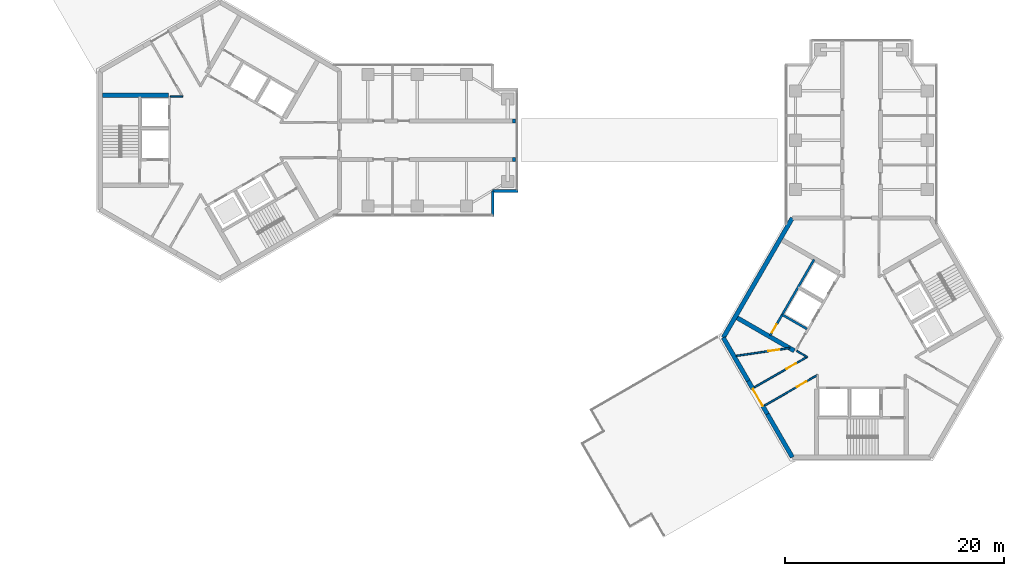
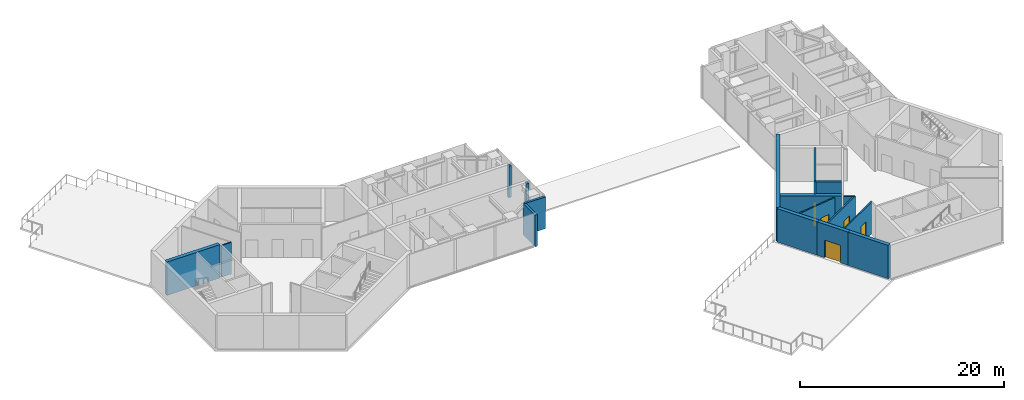
# One storey, part 6 of 11: 17 walls, 5 doors, 5 openings.
"""IFC4 building model written with IfcOpenShell, lengths in metres."""

from ifc_helpers import new_model, si_unit, direction, frame, frame_2d, origin, place, context, subcontext, project, spatial, rectangle, extrude, material, layer, layer_set, type_object, element, fill, save


model = new_model("IFC4")

# Units and contexts
model_context = context("Model", 3, precision=1e-05, world=origin(), true_north=direction((0.0, 1.0)))
body_context = subcontext(model_context, "Body", "Model", "MODEL_VIEW")
ifc_project = project(units=[si_unit("LENGTHUNIT", "METRE"), si_unit("AREAUNIT", "SQUARE_METRE"), si_unit("VOLUMEUNIT", "CUBIC_METRE"), si_unit("PLANEANGLEUNIT", "RADIAN"), si_unit("MASSUNIT", "GRAM", prefix="KILO")], contexts=[model_context])

# Site, building, storey
site_placement = place(None, origin())
site = spatial("IfcSite", under=ifc_project, at=site_placement, CompositionType="ELEMENT")
building_placement = place(site_placement, origin())
building = spatial("IfcBuilding", under=site, at=building_placement, Name="Upepo Twin Towers", CompositionType="ELEMENT")
storey_placement = place(building_placement, frame((0.0, 0.0, 243.5)))
storey = spatial("IfcBuildingStorey", under=building, at=storey_placement, Name="L59", CompositionType="ELEMENT", Elevation=243.5)

# Walls
ifc_material_1 = material(Name="Dense concrete blockwork", Category="masonry")
ifc_layer_1 = layer(ifc_material_1, 0.35009765625)
ifc_layer_set_1 = layer_set([ifc_layer_1], Name="Buttress closer 350, blockwork with fire-stopping to the curtain wall")
wall_type_1 = type_object("IfcWallType", Name="Buttress closer 350, blockwork with fire-stopping to the curtain wall", PredefinedType="PARTITIONING", material=ifc_layer_set_1)
for number, where, z_axis, x_axis, name in (
    (1, (26.699951171875, 1.75, 0.0), (0.0, 0.0, 1.0), (1.0, 0.0, 0.0), "T1 L59 wing A buttress closer L"),
    (2, (26.699951171875, -1.75, 0.0), (0.0, 0.0, 1.0), (1.0, 0.0, 0.0), "T1 L59 wing A buttress closer R"),
):
    element("IfcWall", number, at=place(storey_placement, frame(where, z_axis=z_axis, x_axis=x_axis)), inside=storey, type_object=wall_type_1, Name=name, PredefinedType="PARTITIONING", context=body_context, shape_type="SweptSolid", body=[
        extrude(rectangle(XDim=0.275146484375, YDim=0.35009765625, at=frame_2d((0.1376953125, 0.0))), origin(), (0.0, 0.0, 1.0), 3.800048828125),
    ])
ifc_material_2 = material(Name="Concrete C60/75", Category="concrete")
ifc_layer_2 = layer(ifc_material_2, 0.39990234375)
ifc_layer_set_2 = layer_set([ifc_layer_2], Name="Concrete C60/75")
wall_type_2 = type_object("IfcWallType", Name="Core wall 400 RC", PredefinedType="SHEAR", material=ifc_layer_set_2)
wall_1_placement = place(storey_placement, frame((52.2021484375, -7.091552734375, 0.0), z_axis=(0.0, 0.0, 1.0), x_axis=(-0.500005998175, -0.866021940709, 0.0)))
element("IfcWall", 3, at=wall_1_placement, inside=storey, type_object=wall_type_2, Name="T2 core wall 060", PredefinedType="SHEAR", context=body_context, shape_type="SweptSolid", body=[
    extrude(rectangle(XDim=12.595947265625, YDim=0.39990234375, at=frame_2d((6.2978515625, 0.0))), origin(), (0.0, 0.0, 1.0), 4.0),
])
wall_2_placement = place(storey_placement, frame((45.904052734375, -18.0, 0.0), z_axis=(0.0, 0.0, 1.0), x_axis=(0.500024481964, -0.866011268655, 0.0)))
element("IfcWall", 4, at=wall_2_placement, inside=storey, type_object=wall_type_2, Name="T2 core wall 120 R", PredefinedType="SHEAR", context=body_context, shape_type="SweptSolid", body=[
    extrude(rectangle(XDim=4.548095703125, YDim=0.39990234375, at=frame_2d((2.27392578125, 0.0))), origin(), (0.0, 0.0, 1.0), 4.0),
])

# Wall, opening, door
wall_3_placement = place(storey_placement, frame((48.17822265625, -21.938720703125, 0.0), z_axis=(0.0, 0.0, 1.0), x_axis=(0.500010275428, -0.866019471182, 0.0)))
wall_3 = element("IfcWall", 5, at=wall_3_placement, inside=storey, type_object=wall_type_2, Name="T2 core wall 120", PredefinedType="SHEAR", context=body_context, shape_type="SweptSolid", body=[
    extrude(rectangle(XDim=3.5, YDim=0.39990234375, at=frame_2d((1.75, 0.0))), origin(), (0.0, 0.0, 1.0), 4.0),
])
opening_1_placement = place(wall_3_placement, frame((0.85009765625, 0.0, 0.0)))
opening_1 = element("IfcOpeningElement", 6, at=opening_1_placement, cuts=wall_3, Name="Opening D2", PredefinedType="OPENING", context=body_context, shape_type="SweptSolid", body=[
    extrude(rectangle(XDim=1.800048828125, YDim=2.10009765625, at=frame_2d((0.89990234375, 1.050048828125))), frame((0.0, 0.2099609375, 0.0), z_axis=(0.0, -1.0, 0.0), x_axis=(1.0, 0.0, 0.0)), (0.0, 0.0, 1.0), 0.419921875),
])
ifc_material_3 = material(Name="Timber doorset", Category="wood")
door_type_1 = type_object("IfcDoorType", Name="Corridor double door 1800 FD60", OperationType="DOUBLE_DOOR_DOUBLE_SWING", PredefinedType="DOOR", material=ifc_material_3)
door_1_placement = place(opening_1_placement, origin())
door_1 = element("IfcDoor", 7, at=door_1_placement, inside=storey, type_object=door_type_1, Name="T2 L59 sky terrace door", OperationType="DOUBLE_DOOR_DOUBLE_SWING", OverallHeight=2.10009765625, OverallWidth=1.800048828125, PredefinedType="DOOR", context=body_context, shape_type="SweptSolid", body=[
    extrude(rectangle(XDim=1.800048828125, YDim=2.10009765625, at=frame_2d((0.89990234375, 1.050048828125))), frame((0.0, 0.02490234375, 0.0), z_axis=(0.0, -1.0, 0.0), x_axis=(1.0, 0.0, 0.0)), (0.0, 0.0, 1.0), 0.050048828125),
])
fill(opening_1, door_1)

# Walls
wall_4_placement = place(storey_placement, frame((49.92822265625, -24.9697265625, 0.0), z_axis=(0.0, 0.0, 1.0), x_axis=(0.499984222037, -0.866034513004, 0.0)))
element("IfcWall", 8, at=wall_4_placement, inside=storey, type_object=wall_type_2, Name="T2 core wall 120 L", PredefinedType="SHEAR", context=body_context, shape_type="SweptSolid", body=[
    extrude(rectangle(XDim=4.548095703125, YDim=0.39990234375, at=frame_2d((2.27392578125, 0.0))), origin(), (0.0, 0.0, 1.0), 4.0),
])
ifc_material_4 = material(Name="Blockwork with anodised aluminium cladding", Category="masonry")
ifc_layer_3 = layer(ifc_material_4, 0.25)
ifc_layer_set_3 = layer_set([ifc_layer_3], Name="Notch cladding wall 250, pale metal")
wall_type_3 = type_object("IfcWallType", Name="Notch cladding wall 250, pale metal", PredefinedType="STANDARD", material=ifc_layer_set_3)
for number, where, z_axis, x_axis, name in (
    (9, (24.875, -6.949951171875, 0.0), (0.0, 0.0, 1.0), (0.0, 1.0, 0.0), "T1 L59 wing A notch wall R1"),
    (10, (24.875, -4.625, 0.0), (0.0, 0.0, 1.0), (1.0, 0.0, 0.0), "T1 L59 wing A notch wall R2"),
):
    element("IfcWall", number, at=place(storey_placement, frame(where, z_axis=z_axis, x_axis=x_axis)), inside=storey, type_object=wall_type_3, Name=name, PredefinedType="STANDARD", context=body_context, shape_type="SweptSolid", body=[
        extrude(rectangle(XDim=2.324951171875, YDim=0.25, at=frame_2d((1.16259765625, 0.0))), origin(), (0.0, 0.0, 1.0), 3.800048828125),
    ])
ifc_material_5 = material(Name="Concrete C40/50", Category="concrete")
ifc_layer_4 = layer(ifc_material_5, 0.199951171875)
ifc_layer_set_4 = layer_set([ifc_layer_4], Name="Concrete C40/50")
wall_type_4 = type_object("IfcWallType", Name="Shaft wall 200 RC", PredefinedType="SHEAR", material=ifc_layer_set_4)
wall_5_placement = place(storey_placement, frame((53.52978515625, -17.208740234375, 0.0), z_axis=(0.0, 0.0, 1.0), x_axis=(-0.866062058628, 0.499936506574, 0.0)))
element("IfcWall", 11, at=wall_5_placement, inside=storey, type_object=wall_type_4, Name="T2 core W60 lobby wall", PredefinedType="SHEAR", context=body_context, shape_type="SweptSolid", body=[
    extrude(rectangle(XDim=2.599853515625, YDim=0.199951171875, at=frame_2d((1.2998046875, 0.0))), origin(), (0.0, 0.0, 1.0), 4.0),
])

# Wall, opening, door
wall_6_placement = place(storey_placement, frame((54.177978515625, -10.885986328125, 0.0), z_axis=(0.0, 0.0, 1.0), x_axis=(-0.49999894854, -0.866026010844, 0.0)))
wall_6 = element("IfcWall", 12, at=wall_6_placement, inside=storey, type_object=wall_type_4, Name="T2 core W60 stair wall", PredefinedType="SHEAR", context=body_context, shape_type="SweptSolid", body=[
    extrude(rectangle(XDim=8.0, YDim=0.199951171875, at=frame_2d((4.0, 0.0))), origin(), (0.0, 0.0, 1.0), 4.0),
])
opening_2_placement = place(wall_6_placement, frame((6.800048828125, 0.0, 0.0)))
opening_2 = element("IfcOpeningElement", 13, at=opening_2_placement, cuts=wall_6, Name="Opening D9", PredefinedType="OPENING", context=body_context, shape_type="SweptSolid", body=[
    extrude(rectangle(XDim=0.89990234375, YDim=2.10009765625, at=frame_2d((0.449951171875, 1.050048828125))), frame((0.0, 0.10986328125, 0.0), z_axis=(0.0, -1.0, 0.0), x_axis=(1.0, 0.0, 0.0)), (0.0, 0.0, 1.0), 0.219970703125),
])
ifc_material_6 = material(Name="Timber doorset", Category="wood")
door_type_2 = type_object("IfcDoorType", Name="Riser door 900 FD60", OperationType="SINGLE_SWING_LEFT", PredefinedType="DOOR", material=ifc_material_6)
door_2_placement = place(opening_2_placement, origin())
door_2 = element("IfcDoor", 14, at=door_2_placement, inside=storey, type_object=door_type_2, Name="T2 L59 riser door", OperationType="SINGLE_SWING_RIGHT", OverallHeight=2.10009765625, OverallWidth=0.89990234375, PredefinedType="DOOR", context=body_context, shape_type="SweptSolid", body=[
    extrude(rectangle(XDim=0.89990234375, YDim=2.10009765625, at=frame_2d((0.449951171875, 1.050048828125))), frame((0.0, 0.02490234375, 0.0), z_axis=(0.0, -1.0, 0.0), x_axis=(1.0, 0.0, 0.0)), (0.0, 0.0, 1.0), 0.050048828125),
])
fill(opening_2, door_2)

# Walls
ifc_material_7 = material(Name="Concrete C40/50", Category="concrete")
ifc_layer_5 = layer(ifc_material_7, 0.39990234375)
ifc_layer_set_5 = layer_set([ifc_layer_5], Name="Concrete C40/50")
wall_type_5 = type_object("IfcWallType", Name="Shaft wall 400 RC", PredefinedType="SHEAR", material=ifc_layer_set_5)
for number, where, z_axis, x_axis, name in (
    (15, (-4.699951171875, 4.10009765625, 0.0), (0.0, 0.0, 1.0), (-1.0, 0.0, 0.0), "T1 core W180 side wall S"),
    (16, (52.379638671875, -19.20068359375, 0.0), (0.0, 0.0, 1.0), (-0.866026570101, 0.499997979876, 0.0), "T2 core W60 side wall N"),
):
    element("IfcWall", number, at=place(storey_placement, frame(where, z_axis=z_axis, x_axis=x_axis)), inside=storey, type_object=wall_type_5, Name=name, PredefinedType="SHEAR", context=body_context, shape_type="SweptSolid", body=[
        extrude(rectangle(XDim=6.00830078125, YDim=0.39990234375, at=frame_2d((3.004150390625, 0.0))), origin(), (0.0, 0.0, 1.0), 4.0),
    ])
ifc_material_8 = material(Name="Gypsum board on steel studs", Category="steel")
ifc_layer_6 = layer(ifc_material_8, 0.14990234375)
ifc_layer_set_6 = layer_set([ifc_layer_6], Name="Teaching partition 150 acoustic")
wall_type_6 = type_object("IfcWallType", Name="Teaching partition 150 acoustic", PredefinedType="PARTITIONING", material=ifc_layer_set_6)
wall_7_placement = place(storey_placement, frame((-4.510009765625, 4.0, 0.0), z_axis=(0.0, 0.0, 1.0), x_axis=(1.0, 0.0, 0.0)))
element("IfcWall", 17, at=wall_7_placement, inside=storey, type_object=wall_type_6, Name="T1 core room partition 5", PredefinedType="PARTITIONING", context=body_context, shape_type="SweptSolid", body=[
    extrude(rectangle(XDim=1.12353515625, YDim=0.14990234375, at=frame_2d((0.561767578125, 0.0))), origin(), (0.0, 0.0, 1.0), 3.800048828125),
])

# Wall, opening, door
wall_8_placement = place(storey_placement, frame((54.517333984375, -21.396484375, 0.0), z_axis=(0.0, 0.0, 1.0), x_axis=(-0.866036713669, -0.499980410194, 0.0)))
wall_8 = element("IfcWall", 18, at=wall_8_placement, inside=storey, type_object=wall_type_6, Name="T2 core room partition 2", PredefinedType="PARTITIONING", context=body_context, shape_type="SweptSolid", body=[
    extrude(rectangle(XDim=5.571044921875, YDim=0.14990234375, at=frame_2d((2.78564453125, 0.0))), origin(), (0.0, 0.0, 1.0), 3.800048828125),
])
opening_3_placement = place(wall_8_placement, frame((1.185546875, 0.0, 0.0)))
opening_3 = element("IfcOpeningElement", 19, at=opening_3_placement, cuts=wall_8, Name="Opening D1", PredefinedType="OPENING", context=body_context, shape_type="SweptSolid", body=[
    extrude(rectangle(XDim=1.0, YDim=2.10009765625, at=frame_2d((0.5, 1.050048828125))), frame((0.0, 0.0849609375, 0.0), z_axis=(0.0, -1.0, 0.0), x_axis=(1.0, 0.0, 0.0)), (0.0, 0.0, 1.0), 0.169921875),
])
ifc_material_9 = material(Name="Timber doorset", Category="wood")
door_type_3 = type_object("IfcDoorType", Name="Room door 1000 FD30", OperationType="SINGLE_SWING_LEFT", PredefinedType="DOOR", material=ifc_material_9)
door_3_placement = place(opening_3_placement, origin())
door_3 = element("IfcDoor", 20, at=door_3_placement, inside=storey, type_object=door_type_3, Name="T2 L59 core room door K3", OperationType="SINGLE_SWING_LEFT", OverallHeight=2.10009765625, OverallWidth=1.0, PredefinedType="DOOR", context=body_context, shape_type="SweptSolid", body=[
    extrude(rectangle(XDim=1.0, YDim=2.10009765625, at=frame_2d((0.5, 1.050048828125))), frame((0.0, 0.02490234375, 0.0), z_axis=(0.0, -1.0, 0.0), x_axis=(1.0, 0.0, 0.0)), (0.0, 0.0, 1.0), 0.050048828125),
])
fill(opening_3, door_3)

wall_9_placement = place(storey_placement, frame((48.74267578125, -22.536376953125, 0.0), z_axis=(0.0, 0.0, 1.0), x_axis=(0.866036713669, 0.499980410194, 0.0)))
wall_9 = element("IfcWall", 21, at=wall_9_placement, inside=storey, type_object=wall_type_6, Name="T2 core room partition 3", PredefinedType="PARTITIONING", context=body_context, shape_type="SweptSolid", body=[
    extrude(rectangle(XDim=5.571044921875, YDim=0.14990234375, at=frame_2d((2.78564453125, 0.0))), origin(), (0.0, 0.0, 1.0), 3.800048828125),
])
opening_4_placement = place(wall_9_placement, frame((3.385498046875, 0.0, 0.0)))
opening_4 = element("IfcOpeningElement", 22, at=opening_4_placement, cuts=wall_9, Name="Opening D1", PredefinedType="OPENING", context=body_context, shape_type="SweptSolid", body=[
    extrude(rectangle(XDim=1.0, YDim=2.10009765625, at=frame_2d((0.5, 1.050048828125))), frame((0.0, 0.0849609375, 0.0), z_axis=(0.0, -1.0, 0.0), x_axis=(1.0, 0.0, 0.0)), (0.0, 0.0, 1.0), 0.169921875),
])
door_4_placement = place(opening_4_placement, origin())
door_4 = element("IfcDoor", 23, at=door_4_placement, inside=storey, type_object=door_type_3, Name="T2 L59 core room door K2", OperationType="SINGLE_SWING_RIGHT", OverallHeight=2.10009765625, OverallWidth=1.0, PredefinedType="DOOR", context=body_context, shape_type="SweptSolid", body=[
    extrude(rectangle(XDim=1.0, YDim=2.10009765625, at=frame_2d((0.5, 1.050048828125))), frame((0.0, 0.02490234375, 0.0), z_axis=(0.0, -1.0, 0.0), x_axis=(1.0, 0.0, 0.0)), (0.0, 0.0, 1.0), 0.050048828125),
])
fill(opening_4, door_4)

# Wall
wall_10_placement = place(storey_placement, frame((53.5673828125, -19.77099609375, 0.0), z_axis=(0.0, 0.0, 1.0), x_axis=(-0.865961255618, 0.500111091428, 0.0)))
element("IfcWall", 24, at=wall_10_placement, inside=storey, type_object=wall_type_6, Name="T2 core room partition 4", PredefinedType="PARTITIONING", context=body_context, shape_type="SweptSolid", body=[
    extrude(rectangle(XDim=1.123779296875, YDim=0.14990234375, at=frame_2d((0.56201171875, 0.0))), origin(), (0.0, 0.0, 1.0), 3.800048828125),
])

# Wall, opening, door
wall_11_placement = place(storey_placement, frame((51.952880859375, -18.9541015625, 0.0), z_axis=(0.0, 0.0, 1.0), x_axis=(-0.989539637194, -0.144261243656, 0.0)))
wall_11 = element("IfcWall", 25, at=wall_11_placement, inside=storey, type_object=wall_type_6, Name="T2 core room partition 13", PredefinedType="PARTITIONING", context=body_context, shape_type="SweptSolid", body=[
    extrude(rectangle(XDim=4.909423828125, YDim=0.14990234375, at=frame_2d((2.45458984375, 0.0))), origin(), (0.0, 0.0, 1.0), 3.800048828125),
])
opening_5_placement = place(wall_11_placement, frame((0.972900390625, 0.0, 0.0)))
opening_5 = element("IfcOpeningElement", 26, at=opening_5_placement, cuts=wall_11, Name="Opening D1", PredefinedType="OPENING", context=body_context, shape_type="SweptSolid", body=[
    extrude(rectangle(XDim=1.0, YDim=2.10009765625, at=frame_2d((0.5, 1.050048828125))), frame((0.0, 0.0849609375, 0.0), z_axis=(0.0, -1.0, 0.0), x_axis=(1.0, 0.0, 0.0)), (0.0, 0.0, 1.0), 0.169921875),
])
door_5_placement = place(opening_5_placement, origin())
door_5 = element("IfcDoor", 27, at=door_5_placement, inside=storey, type_object=door_type_3, Name="T2 L59 core room door K1", OperationType="SINGLE_SWING_LEFT", OverallHeight=2.10009765625, OverallWidth=1.0, PredefinedType="DOOR", context=body_context, shape_type="SweptSolid", body=[
    extrude(rectangle(XDim=1.0, YDim=2.10009765625, at=frame_2d((0.5, 1.050048828125))), frame((0.0, 0.02490234375, 0.0), z_axis=(0.0, -1.0, 0.0), x_axis=(1.0, 0.0, 0.0)), (0.0, 0.0, 1.0), 0.050048828125),
])
fill(opening_5, door_5)

save(model, "model.ifc")
